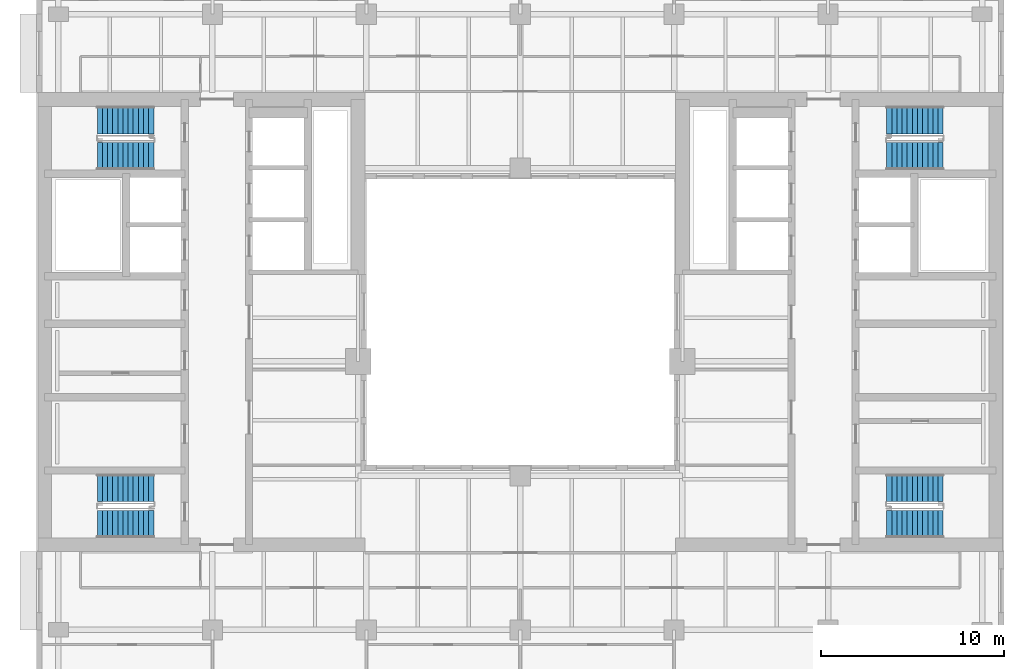
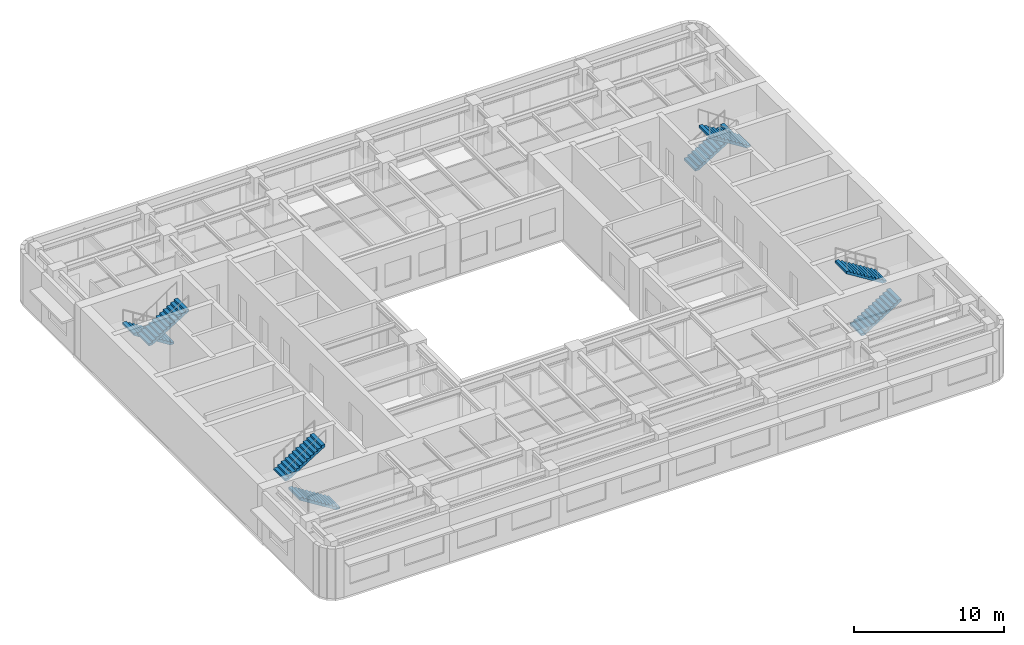
# One storey, part 8 of 11: 8 stair flights, 4 elements without a shape of their own.
"""IFC4 building model written with IfcOpenShell, lengths in metres."""

from ifc_helpers import new_model, si_unit, direction, frame, origin, place, context, subcontext, project, spatial, polyline, outline, extrude, material, type_object, element, aggregate, save


model = new_model("IFC4")

# Units and contexts
model_context = context("Model", 3, precision=1e-05, world=origin(), true_north=direction((0.0, 1.0)))
body_context = subcontext(model_context, "Body", "Model", "MODEL_VIEW")
ifc_project = project(units=[si_unit("LENGTHUNIT", "METRE"), si_unit("AREAUNIT", "SQUARE_METRE"), si_unit("VOLUMEUNIT", "CUBIC_METRE"), si_unit("PLANEANGLEUNIT", "RADIAN"), si_unit("MASSUNIT", "GRAM", prefix="KILO")], contexts=[model_context])

# Site, building, storey
site_placement = place(None, origin())
site = spatial("IfcSite", under=ifc_project, at=site_placement, CompositionType="ELEMENT")
building_placement = place(site_placement, origin())
building = spatial("IfcBuilding", under=site, at=building_placement, Name="Claustro Exchange Tower", CompositionType="ELEMENT")
storey_placement = place(building_placement, frame((0.0, 0.0, 198.60009765625)))
storey = spatial("IfcBuildingStorey", under=building, at=storey_placement, Name="L45", CompositionType="ELEMENT", Elevation=198.60009765625)

# Stair, stair flights
ifc_material_1 = material(Name="Concrete HA-30 (C30/37), precast", Category="concrete")
stair_type = type_object("IfcStairType", Name="ST1 half-turn stair, 24 risers of 175", PredefinedType="HALF_TURN_STAIR", material=ifc_material_1)
stair_1_placement = place(storey_placement, origin())
stair_1 = element("IfcStair", 1, at=stair_1_placement, inside=storey, type_object=stair_type, Name="Stair STWA L45", PredefinedType="HALF_TURN_STAIR")
ifc_material_2 = material(Name="Concrete HA-30 (C30/37), precast", Category="concrete")
stair_flight_type = type_object("IfcStairFlightType", Name="SF12A straight flight, 12 risers of 175, 1500 wide", PredefinedType="STRAIGHT", material=ifc_material_2)
stair_flight_1_placement = place(storey_placement, frame((5.199951171875, 14.175048828125, 0.0), z_axis=(0.0, 0.0, 1.0), x_axis=(-1.0, 0.0, 0.0)))
stair_flight_1 = element("IfcStairFlight", 2, at=stair_flight_1_placement, type_object=stair_flight_type, Name="STWA flight 1", NumberOfRisers=12, NumberOfTreads=11, PredefinedType="STRAIGHT", RiserHeight=0.175, TreadLength=0.28, context=body_context, shape_type="SweptSolid", body=[
    extrude(outline(polyline([(0.0, 0.0), (0.0, 0.175048828125), (0.280029296875, 0.175048828125), (0.280029296875, 0.35009765625), (0.56005859375, 0.35009765625), (0.56005859375, 0.52490234375), (0.840087890625, 0.52490234375), (0.840087890625, 0.699951171875), (1.1201171875, 0.699951171875), (1.1201171875, 0.875), (1.39990234375, 0.875), (1.39990234375, 1.050048828125), (1.679931640625, 1.050048828125), (1.679931640625, 1.22509765625), (1.9599609375, 1.22509765625), (1.9599609375, 1.39990234375), (2.239990234375, 1.39990234375), (2.239990234375, 1.574951171875), (2.52001953125, 1.574951171875), (2.52001953125, 1.75), (2.800048828125, 1.75), (2.800048828125, 1.925048828125), (3.080078125, 1.925048828125), (3.080078125, 2.10009765625), (3.080078125, 1.748291015625), (0.28271484375, 0.0), (0.0, 0.0)])), frame((0.0, 0.75, 0.0), z_axis=(0.0, -1.0, 0.0), x_axis=(1.0, 0.0, 0.0)), (0.0, 0.0, 1.0), 1.5),
])
stair_flight_2_placement = place(storey_placement, frame((2.1201171875, 16.14990234375, 2.099853515625), z_axis=(0.0, 0.0, 1.0), x_axis=(1.0, 0.0, 0.0)))
stair_flight_2 = element("IfcStairFlight", 3, at=stair_flight_2_placement, type_object=stair_flight_type, Name="STWA flight 2", NumberOfRisers=12, NumberOfTreads=11, PredefinedType="STRAIGHT", RiserHeight=0.175, TreadLength=0.28, context=body_context, shape_type="SweptSolid", body=[
    extrude(outline(polyline([(0.0, 0.0), (0.0, 0.175048828125), (0.280029296875, 0.175048828125), (0.280029296875, 0.35009765625), (0.56005859375, 0.35009765625), (0.56005859375, 0.52490234375), (0.840087890625, 0.52490234375), (0.840087890625, 0.699951171875), (1.1201171875, 0.699951171875), (1.1201171875, 0.875), (1.39990234375, 0.875), (1.39990234375, 1.050048828125), (1.679931640625, 1.050048828125), (1.679931640625, 1.22509765625), (1.9599609375, 1.22509765625), (1.9599609375, 1.39990234375), (2.239990234375, 1.39990234375), (2.239990234375, 1.574951171875), (2.52001953125, 1.574951171875), (2.52001953125, 1.75), (2.800048828125, 1.75), (2.800048828125, 1.925048828125), (3.080078125, 1.925048828125), (3.080078125, 2.10009765625), (3.080078125, 1.748291015625), (0.28271484375, 0.0), (0.0, 0.0)])), frame((0.0, 0.75, 0.0), z_axis=(0.0, -1.0, 0.0), x_axis=(1.0, 0.0, 0.0)), (0.0, 0.0, 1.0), 1.5),
])
aggregate(stair_1, [stair_flight_1, stair_flight_2])

stair_2_placement = place(storey_placement, origin())
stair_2 = element("IfcStair", 4, at=stair_2_placement, inside=storey, type_object=stair_type, Name="Stair STWB L45", PredefinedType="HALF_TURN_STAIR")
stair_flight_3_placement = place(storey_placement, frame((5.199951171875, 36.22509765625, 0.0), z_axis=(0.0, 0.0, 1.0), x_axis=(-1.0, 0.0, 0.0)))
stair_flight_3 = element("IfcStairFlight", 5, at=stair_flight_3_placement, type_object=stair_flight_type, Name="STWB flight 1", NumberOfRisers=12, NumberOfTreads=11, PredefinedType="STRAIGHT", RiserHeight=0.175, TreadLength=0.28, context=body_context, shape_type="SweptSolid", body=[
    extrude(outline(polyline([(0.0, 0.0), (0.0, 0.175048828125), (0.280029296875, 0.175048828125), (0.280029296875, 0.35009765625), (0.56005859375, 0.35009765625), (0.56005859375, 0.52490234375), (0.840087890625, 0.52490234375), (0.840087890625, 0.699951171875), (1.1201171875, 0.699951171875), (1.1201171875, 0.875), (1.39990234375, 0.875), (1.39990234375, 1.050048828125), (1.679931640625, 1.050048828125), (1.679931640625, 1.22509765625), (1.9599609375, 1.22509765625), (1.9599609375, 1.39990234375), (2.239990234375, 1.39990234375), (2.239990234375, 1.574951171875), (2.52001953125, 1.574951171875), (2.52001953125, 1.75), (2.800048828125, 1.75), (2.800048828125, 1.925048828125), (3.080078125, 1.925048828125), (3.080078125, 2.10009765625), (3.080078125, 1.748291015625), (0.28271484375, 0.0), (0.0, 0.0)])), frame((0.0, 0.75, 0.0), z_axis=(0.0, -1.0, 0.0), x_axis=(1.0, 0.0, 0.0)), (0.0, 0.0, 1.0), 1.5),
])
stair_flight_4_placement = place(storey_placement, frame((2.1201171875, 34.25, 2.099853515625), z_axis=(0.0, 0.0, 1.0), x_axis=(1.0, 0.0, 0.0)))
stair_flight_4 = element("IfcStairFlight", 6, at=stair_flight_4_placement, type_object=stair_flight_type, Name="STWB flight 2", NumberOfRisers=12, NumberOfTreads=11, PredefinedType="STRAIGHT", RiserHeight=0.175, TreadLength=0.28, context=body_context, shape_type="SweptSolid", body=[
    extrude(outline(polyline([(0.0, 0.0), (0.0, 0.175048828125), (0.280029296875, 0.175048828125), (0.280029296875, 0.35009765625), (0.56005859375, 0.35009765625), (0.56005859375, 0.52490234375), (0.840087890625, 0.52490234375), (0.840087890625, 0.699951171875), (1.1201171875, 0.699951171875), (1.1201171875, 0.875), (1.39990234375, 0.875), (1.39990234375, 1.050048828125), (1.679931640625, 1.050048828125), (1.679931640625, 1.22509765625), (1.9599609375, 1.22509765625), (1.9599609375, 1.39990234375), (2.239990234375, 1.39990234375), (2.239990234375, 1.574951171875), (2.52001953125, 1.574951171875), (2.52001953125, 1.75), (2.800048828125, 1.75), (2.800048828125, 1.925048828125), (3.080078125, 1.925048828125), (3.080078125, 2.10009765625), (3.080078125, 1.748291015625), (0.28271484375, 0.0), (0.0, 0.0)])), frame((0.0, 0.75, 0.0), z_axis=(0.0, -1.0, 0.0), x_axis=(1.0, 0.0, 0.0)), (0.0, 0.0, 1.0), 1.5),
])
aggregate(stair_2, [stair_flight_3, stair_flight_4])

stair_3_placement = place(storey_placement, origin())
stair_3 = element("IfcStair", 7, at=stair_3_placement, inside=storey, type_object=stair_type, Name="Stair STEA L45", PredefinedType="HALF_TURN_STAIR")
stair_flight_5_placement = place(storey_placement, frame((45.199951171875, 14.175048828125, 0.0), z_axis=(0.0, 0.0, 1.0), x_axis=(1.0, 0.0, 0.0)))
stair_flight_5 = element("IfcStairFlight", 8, at=stair_flight_5_placement, type_object=stair_flight_type, Name="STEA flight 1", NumberOfRisers=12, NumberOfTreads=11, PredefinedType="STRAIGHT", RiserHeight=0.175, TreadLength=0.28, context=body_context, shape_type="SweptSolid", body=[
    extrude(outline(polyline([(0.0, 0.0), (0.0, 0.175048828125), (0.280029296875, 0.175048828125), (0.280029296875, 0.35009765625), (0.56005859375, 0.35009765625), (0.56005859375, 0.52490234375), (0.840087890625, 0.52490234375), (0.840087890625, 0.699951171875), (1.1201171875, 0.699951171875), (1.1201171875, 0.875), (1.39990234375, 0.875), (1.39990234375, 1.050048828125), (1.679931640625, 1.050048828125), (1.679931640625, 1.22509765625), (1.9599609375, 1.22509765625), (1.9599609375, 1.39990234375), (2.239990234375, 1.39990234375), (2.239990234375, 1.574951171875), (2.52001953125, 1.574951171875), (2.52001953125, 1.75), (2.800048828125, 1.75), (2.800048828125, 1.925048828125), (3.080078125, 1.925048828125), (3.080078125, 2.10009765625), (3.080078125, 1.748291015625), (0.28271484375, 0.0), (0.0, 0.0)])), frame((0.0, 0.75, 0.0), z_axis=(0.0, -1.0, 0.0), x_axis=(1.0, 0.0, 0.0)), (0.0, 0.0, 1.0), 1.5),
])
stair_flight_6_placement = place(storey_placement, frame((48.280029296875, 16.14990234375, 2.099853515625), z_axis=(0.0, 0.0, 1.0), x_axis=(-1.0, 0.0, 0.0)))
stair_flight_6 = element("IfcStairFlight", 9, at=stair_flight_6_placement, type_object=stair_flight_type, Name="STEA flight 2", NumberOfRisers=12, NumberOfTreads=11, PredefinedType="STRAIGHT", RiserHeight=0.175, TreadLength=0.28, context=body_context, shape_type="SweptSolid", body=[
    extrude(outline(polyline([(0.0, 0.0), (0.0, 0.175048828125), (0.280029296875, 0.175048828125), (0.280029296875, 0.35009765625), (0.56005859375, 0.35009765625), (0.56005859375, 0.52490234375), (0.840087890625, 0.52490234375), (0.840087890625, 0.699951171875), (1.1201171875, 0.699951171875), (1.1201171875, 0.875), (1.39990234375, 0.875), (1.39990234375, 1.050048828125), (1.679931640625, 1.050048828125), (1.679931640625, 1.22509765625), (1.9599609375, 1.22509765625), (1.9599609375, 1.39990234375), (2.239990234375, 1.39990234375), (2.239990234375, 1.574951171875), (2.52001953125, 1.574951171875), (2.52001953125, 1.75), (2.800048828125, 1.75), (2.800048828125, 1.925048828125), (3.080078125, 1.925048828125), (3.080078125, 2.10009765625), (3.080078125, 1.748291015625), (0.28271484375, 0.0), (0.0, 0.0)])), frame((0.0, 0.75, 0.0), z_axis=(0.0, -1.0, 0.0), x_axis=(1.0, 0.0, 0.0)), (0.0, 0.0, 1.0), 1.5),
])
aggregate(stair_3, [stair_flight_5, stair_flight_6])

stair_4_placement = place(storey_placement, origin())
stair_4 = element("IfcStair", 10, at=stair_4_placement, inside=storey, type_object=stair_type, Name="Stair STEB L45", PredefinedType="HALF_TURN_STAIR")
stair_flight_7_placement = place(storey_placement, frame((45.199951171875, 36.22509765625, 0.0), z_axis=(0.0, 0.0, 1.0), x_axis=(1.0, 0.0, 0.0)))
stair_flight_7 = element("IfcStairFlight", 11, at=stair_flight_7_placement, type_object=stair_flight_type, Name="STEB flight 1", NumberOfRisers=12, NumberOfTreads=11, PredefinedType="STRAIGHT", RiserHeight=0.175, TreadLength=0.28, context=body_context, shape_type="SweptSolid", body=[
    extrude(outline(polyline([(0.0, 0.0), (0.0, 0.175048828125), (0.280029296875, 0.175048828125), (0.280029296875, 0.35009765625), (0.56005859375, 0.35009765625), (0.56005859375, 0.52490234375), (0.840087890625, 0.52490234375), (0.840087890625, 0.699951171875), (1.1201171875, 0.699951171875), (1.1201171875, 0.875), (1.39990234375, 0.875), (1.39990234375, 1.050048828125), (1.679931640625, 1.050048828125), (1.679931640625, 1.22509765625), (1.9599609375, 1.22509765625), (1.9599609375, 1.39990234375), (2.239990234375, 1.39990234375), (2.239990234375, 1.574951171875), (2.52001953125, 1.574951171875), (2.52001953125, 1.75), (2.800048828125, 1.75), (2.800048828125, 1.925048828125), (3.080078125, 1.925048828125), (3.080078125, 2.10009765625), (3.080078125, 1.748291015625), (0.28271484375, 0.0), (0.0, 0.0)])), frame((0.0, 0.75, 0.0), z_axis=(0.0, -1.0, 0.0), x_axis=(1.0, 0.0, 0.0)), (0.0, 0.0, 1.0), 1.5),
])
stair_flight_8_placement = place(storey_placement, frame((48.280029296875, 34.25, 2.099853515625), z_axis=(0.0, 0.0, 1.0), x_axis=(-1.0, 0.0, 0.0)))
stair_flight_8 = element("IfcStairFlight", 12, at=stair_flight_8_placement, type_object=stair_flight_type, Name="STEB flight 2", NumberOfRisers=12, NumberOfTreads=11, PredefinedType="STRAIGHT", RiserHeight=0.175, TreadLength=0.28, context=body_context, shape_type="SweptSolid", body=[
    extrude(outline(polyline([(0.0, 0.0), (0.0, 0.175048828125), (0.280029296875, 0.175048828125), (0.280029296875, 0.35009765625), (0.56005859375, 0.35009765625), (0.56005859375, 0.52490234375), (0.840087890625, 0.52490234375), (0.840087890625, 0.699951171875), (1.1201171875, 0.699951171875), (1.1201171875, 0.875), (1.39990234375, 0.875), (1.39990234375, 1.050048828125), (1.679931640625, 1.050048828125), (1.679931640625, 1.22509765625), (1.9599609375, 1.22509765625), (1.9599609375, 1.39990234375), (2.239990234375, 1.39990234375), (2.239990234375, 1.574951171875), (2.52001953125, 1.574951171875), (2.52001953125, 1.75), (2.800048828125, 1.75), (2.800048828125, 1.925048828125), (3.080078125, 1.925048828125), (3.080078125, 2.10009765625), (3.080078125, 1.748291015625), (0.28271484375, 0.0), (0.0, 0.0)])), frame((0.0, 0.75, 0.0), z_axis=(0.0, -1.0, 0.0), x_axis=(1.0, 0.0, 0.0)), (0.0, 0.0, 1.0), 1.5),
])
aggregate(stair_4, [stair_flight_7, stair_flight_8])

save(model, "model.ifc")
